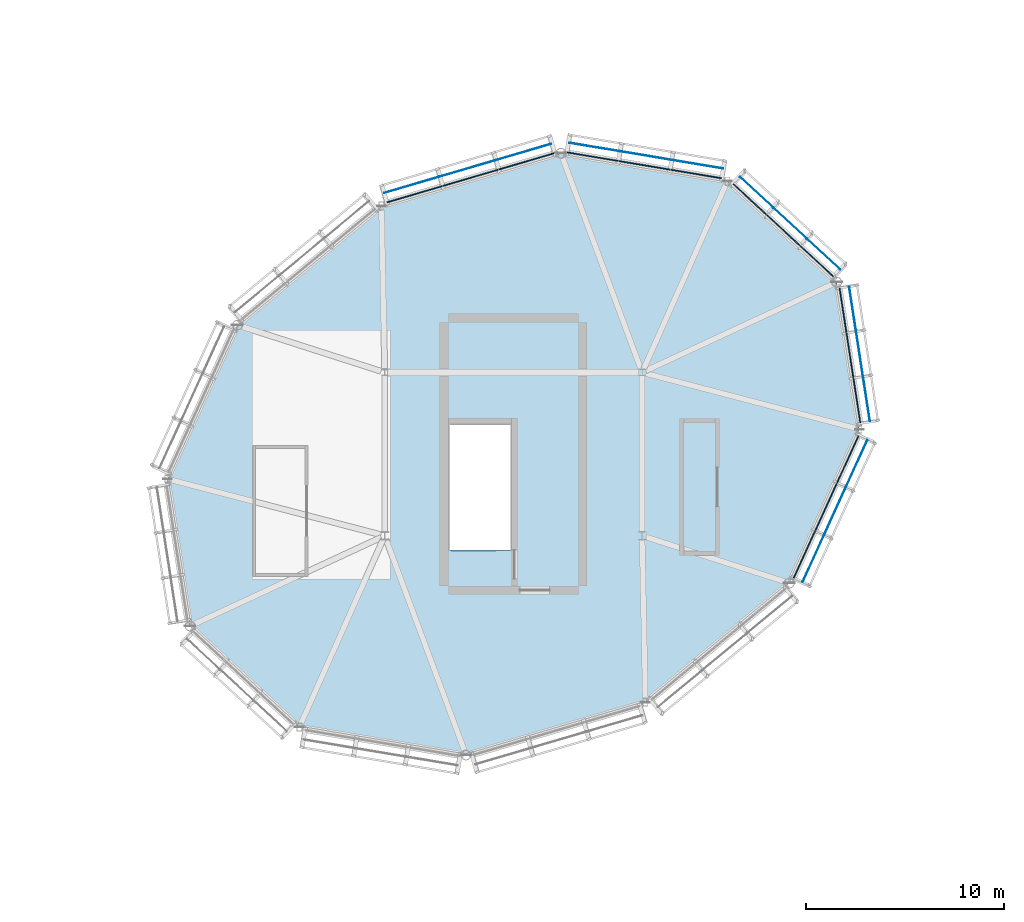
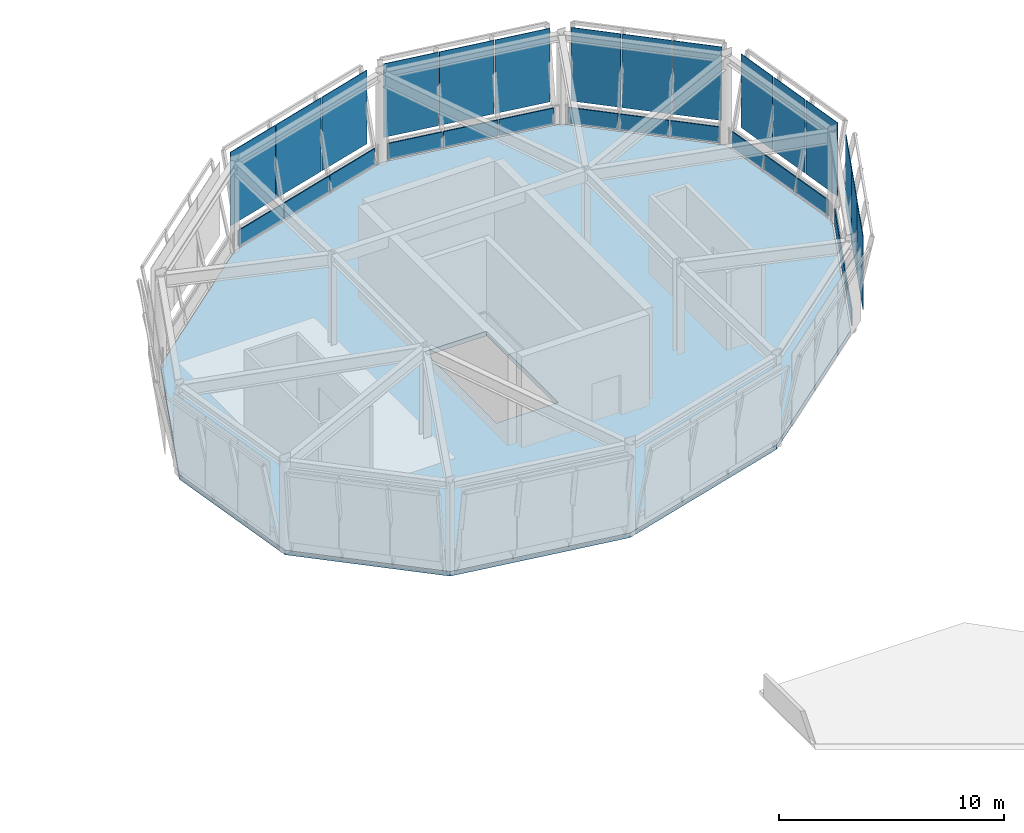
# One storey, part 78 of 113: 30 plates, 1 slab, 5 elements without a shape of their own.
"""IFC4 building model written with IfcOpenShell, lengths in metres."""

from ifc_helpers import new_model, si_unit, direction, frame, origin, origin_2d, place, context, subcontext, project, spatial, polyline, rectangle, outline, extrude, material, layer, layer_set, type_object, element, aggregate, save


model = new_model("IFC4")

# Units and contexts
model_context = context("Model", 3, precision=1e-05, world=origin(), true_north=direction((0.0, 1.0)))
body_context = subcontext(model_context, "Body", "Model", "MODEL_VIEW")
ifc_project = project(units=[si_unit("LENGTHUNIT", "METRE"), si_unit("AREAUNIT", "SQUARE_METRE"), si_unit("VOLUMEUNIT", "CUBIC_METRE"), si_unit("PLANEANGLEUNIT", "RADIAN"), si_unit("MASSUNIT", "GRAM", prefix="KILO")], contexts=[model_context])

# Site, building, storey
site_placement = place(None, origin())
site = spatial("IfcSite", under=ifc_project, at=site_placement, CompositionType="ELEMENT")
building_placement = place(site_placement, origin())
building = spatial("IfcBuilding", under=site, at=building_placement, Name="Linyun Crest Stadium", CompositionType="ELEMENT")
storey_placement = place(building_placement, frame((0.0, 0.0, 26.39990234375)))
storey = spatial("IfcBuildingStorey", under=building, at=storey_placement, Name="L06", CompositionType="ELEMENT", Elevation=26.39990234375)

# Slab
ifc_material_1 = material(Name="Concrete C40", Category="concrete")
ifc_layer_1 = layer(ifc_material_1, 0.25)
ifc_layer_set_1 = layer_set([ifc_layer_1], Name="Concrete C40")
slab_type = type_object("IfcSlabType", Name="FS04", PredefinedType="FLOOR", material=ifc_layer_set_1)
slab_placement = place(storey_placement, frame((0.0, 0.0, -0.25)))
element("IfcSlab", 1, at=slab_placement, inside=storey, type_object=slab_type, Name="Slab FS04 V5 L06 60", PredefinedType="FLOOR", context=body_context, shape_type="SweptSolid", body=[
    extrude(outline(polyline([(89.8349609375, 93.31005859375), (84.31298828125, 98.416015625), (75.89404296875, 99.825927734375), (66.833984375, 97.1630859375), (59.55908203125, 91.139892578125), (56.02099609375, 83.3720703125), (57.1650390625, 75.93994140625), (62.68701171875, 70.833984375), (71.10595703125, 69.424072265625), (80.166015625, 72.0869140625), (87.44091796875, 78.110107421875), (90.97900390625, 85.8779296875), (89.8349609375, 93.31005859375)]), holes=[polyline([(70.22509765625, 79.77001953125), (70.22509765625, 86.14990234375), (73.39990234375, 86.14990234375), (73.39990234375, 79.77001953125), (70.22509765625, 79.77001953125)])]), origin(), (0.0, 0.0, 1.0), 0.25),
])

# Curtain wall, plates
ifc_material_2 = material(Name="Verdigris steel and low-E curtain wall assembly", Category="steel")
curtain_wall_type = type_object("IfcCurtainWallType", Name="MCW04", PredefinedType="NOTDEFINED", material=ifc_material_2)
curtain_wall_1_placement = place(storey_placement, origin())
curtain_wall_1 = element("IfcCurtainWall", 2, at=curtain_wall_1_placement, inside=storey, type_object=curtain_wall_type, Name="CWR-061", PredefinedType="NOTDEFINED")
ifc_material_3 = material(Name="Acoustic laminated low-E broadcast glass", Category="glass")
ifc_layer_2 = layer(ifc_material_3, 0.030029296875)
ifc_layer_set_2 = layer_set([ifc_layer_2], Name="Acoustic laminated low-E broadcast glass")
plate_type_1 = type_object("IfcPlateType", Name="GP02", PredefinedType="CURTAIN_PANEL", material=ifc_layer_set_2)
plate_1_placement = place(storey_placement, frame((89.166015625, 94.72705078125, 0.884521484375), z_axis=(0.0, 0.0, 1.0), x_axis=(-0.734298814372, 0.678826377811, 0.0)))
plate_1 = element("IfcPlate", 3, at=plate_1_placement, type_object=plate_type_1, Name="CWR-061 panel 1.2", PredefinedType="CURTAIN_PANEL", context=body_context, shape_type="SweptSolid", body=[
    extrude(rectangle(XDim=2.2568359375, YDim=0.030029296875, at=origin_2d()), origin(), (0.0, 0.0, 1.0), 3.9912109375),
])
plate_2_placement = place(storey_placement, frame((87.471923828125, 96.29296875, 0.884521484375), z_axis=(0.0, 0.0, 1.0), x_axis=(-0.734298814372, 0.678826377811, 0.0)))
plate_2 = element("IfcPlate", 4, at=plate_2_placement, type_object=plate_type_1, Name="CWR-061 panel 2.2", PredefinedType="CURTAIN_PANEL", context=body_context, shape_type="SweptSolid", body=[
    extrude(rectangle(XDim=2.2568359375, YDim=0.030029296875, at=origin_2d()), origin(), (0.0, 0.0, 1.0), 3.9912109375),
])
plate_3_placement = place(storey_placement, frame((85.778076171875, 97.85888671875, 0.884521484375), z_axis=(0.0, 0.0, 1.0), x_axis=(-0.734298814372, 0.678826377811, 0.0)))
plate_3 = element("IfcPlate", 5, at=plate_3_placement, type_object=plate_type_1, Name="CWR-061 panel 3.2", PredefinedType="CURTAIN_PANEL", context=body_context, shape_type="SweptSolid", body=[
    extrude(rectangle(XDim=2.2568359375, YDim=0.030029296875, at=origin_2d()), origin(), (0.0, 0.0, 1.0), 3.9912109375),
])

curtain_wall_2_placement = place(storey_placement, origin())
curtain_wall_2 = element("IfcCurtainWall", 6, at=curtain_wall_2_placement, inside=storey, type_object=curtain_wall_type, Name="CWR-062", PredefinedType="NOTDEFINED")
plate_4_placement = place(storey_placement, frame((82.80908203125, 99.261962890625, 0.884521484375), z_axis=(0.0, 0.0, 1.0), x_axis=(-0.986282720763, 0.165064819767, 0.0)))
plate_4 = element("IfcPlate", 7, at=plate_4_placement, type_object=plate_type_1, Name="CWR-062 panel 1.2", PredefinedType="CURTAIN_PANEL", context=body_context, shape_type="SweptSolid", body=[
    extrude(rectangle(XDim=2.59521484375, YDim=0.030029296875, at=origin_2d()), origin(), (0.0, 0.0, 1.0), 3.9912109375),
])
plate_5_placement = place(storey_placement, frame((80.199951171875, 99.698974609375, 0.884521484375), z_axis=(0.0, 0.0, 1.0), x_axis=(-0.986282720763, 0.165064819767, 0.0)))
plate_5 = element("IfcPlate", 8, at=plate_5_placement, type_object=plate_type_1, Name="CWR-062 panel 2.2", PredefinedType="CURTAIN_PANEL", context=body_context, shape_type="SweptSolid", body=[
    extrude(rectangle(XDim=2.59521484375, YDim=0.030029296875, at=origin_2d()), origin(), (0.0, 0.0, 1.0), 3.9912109375),
])
plate_6_placement = place(storey_placement, frame((77.591064453125, 100.135986328125, 0.884521484375), z_axis=(0.0, 0.0, 1.0), x_axis=(-0.986282720763, 0.165064819767, 0.0)))
plate_6 = element("IfcPlate", 9, at=plate_6_placement, type_object=plate_type_1, Name="CWR-062 panel 3.2", PredefinedType="CURTAIN_PANEL", context=body_context, shape_type="SweptSolid", body=[
    extrude(rectangle(XDim=2.59521484375, YDim=0.030029296875, at=origin_2d()), origin(), (0.0, 0.0, 1.0), 3.9912109375),
])

curtain_wall_3_placement = place(storey_placement, origin())
curtain_wall_3 = element("IfcCurtainWall", 10, at=curtain_wall_3_placement, inside=storey, type_object=curtain_wall_type, Name="CWR-063", PredefinedType="NOTDEFINED")
plate_7_placement = place(storey_placement, frame((74.027099609375, 99.887939453125, 0.884521484375), z_axis=(0.0, 0.0, 1.0), x_axis=(-0.959437077917, -0.281922850294, 0.0)))
plate_7 = element("IfcPlate", 11, at=plate_7_placement, type_object=plate_type_1, Name="CWR-063 panel 1.2", PredefinedType="CURTAIN_PANEL", context=body_context, shape_type="SweptSolid", body=[
    extrude(rectangle(XDim=2.897705078125, YDim=0.030029296875, at=origin_2d()), origin(), (0.0, 0.0, 1.0), 3.9912109375),
])
plate_8_placement = place(storey_placement, frame((71.198974609375, 99.056884765625, 0.884521484375), z_axis=(0.0, 0.0, 1.0), x_axis=(-0.959437077917, -0.281922850294, 0.0)))
plate_8 = element("IfcPlate", 12, at=plate_8_placement, type_object=plate_type_1, Name="CWR-063 panel 2.2", PredefinedType="CURTAIN_PANEL", context=body_context, shape_type="SweptSolid", body=[
    extrude(rectangle(XDim=2.897705078125, YDim=0.030029296875, at=origin_2d()), origin(), (0.0, 0.0, 1.0), 3.9912109375),
])
plate_9_placement = place(storey_placement, frame((68.37109375, 98.22607421875, 0.884521484375), z_axis=(0.0, 0.0, 1.0), x_axis=(-0.959437077917, -0.281922850294, 0.0)))
plate_9 = element("IfcPlate", 13, at=plate_9_placement, type_object=plate_type_1, Name="CWR-063 panel 3.2", PredefinedType="CURTAIN_PANEL", context=body_context, shape_type="SweptSolid", body=[
    extrude(rectangle(XDim=2.897705078125, YDim=0.030029296875, at=origin_2d()), origin(), (0.0, 0.0, 1.0), 3.9912109375),
])

curtain_wall_4_placement = place(storey_placement, origin())
curtain_wall_4 = element("IfcCurtainWall", 14, at=curtain_wall_4_placement, inside=storey, type_object=curtain_wall_type, Name="CWR-071", PredefinedType="NOTDEFINED")
plate_10_placement = place(storey_placement, frame((88.64697265625, 79.343994140625, 0.884521484375), z_axis=(0.0, 0.0, 1.0), x_axis=(0.414566184052, 0.910019164106, 0.0)))
plate_10 = element("IfcPlate", 15, at=plate_10_placement, type_object=plate_type_1, Name="CWR-071 panel 1.2", PredefinedType="CURTAIN_PANEL", context=body_context, shape_type="SweptSolid", body=[
    extrude(rectangle(XDim=2.595458984375, YDim=0.030029296875, at=origin_2d()), origin(), (0.0, 0.0, 1.0), 3.9912109375),
])
plate_11_placement = place(storey_placement, frame((89.742919921875, 81.7509765625, 0.884521484375), z_axis=(0.0, 0.0, 1.0), x_axis=(0.414566184052, 0.910019164106, 0.0)))
plate_11 = element("IfcPlate", 16, at=plate_11_placement, type_object=plate_type_1, Name="CWR-071 panel 2.2", PredefinedType="CURTAIN_PANEL", context=body_context, shape_type="SweptSolid", body=[
    extrude(rectangle(XDim=2.595458984375, YDim=0.030029296875, at=origin_2d()), origin(), (0.0, 0.0, 1.0), 3.9912109375),
])
plate_12_placement = place(storey_placement, frame((90.840087890625, 84.157958984375, 0.884521484375), z_axis=(0.0, 0.0, 1.0), x_axis=(0.414566184052, 0.910019164106, 0.0)))
plate_12 = element("IfcPlate", 17, at=plate_12_placement, type_object=plate_type_1, Name="CWR-071 panel 3.2", PredefinedType="CURTAIN_PANEL", context=body_context, shape_type="SweptSolid", body=[
    extrude(rectangle(XDim=2.595458984375, YDim=0.030029296875, at=origin_2d()), origin(), (0.0, 0.0, 1.0), 3.9912109375),
])

curtain_wall_5_placement = place(storey_placement, origin())
curtain_wall_5 = element("IfcCurtainWall", 18, at=curtain_wall_5_placement, inside=storey, type_object=curtain_wall_type, Name="CWR-072", PredefinedType="NOTDEFINED")
plate_13_placement = place(storey_placement, frame((91.3369140625, 87.404052734375, 0.884521484375), z_axis=(0.0, 0.0, 1.0), x_axis=(-0.152054385169, 0.988372128275, 0.0)))
plate_13 = element("IfcPlate", 19, at=plate_13_placement, type_object=plate_type_1, Name="CWR-072 panel 1.2", PredefinedType="CURTAIN_PANEL", context=body_context, shape_type="SweptSolid", body=[
    extrude(rectangle(XDim=2.256103515625, YDim=0.030029296875, at=origin_2d()), origin(), (0.0, 0.0, 1.0), 3.9912109375),
])
plate_14_placement = place(storey_placement, frame((90.986083984375, 89.68310546875, 0.884521484375), z_axis=(0.0, 0.0, 1.0), x_axis=(-0.152054385169, 0.988372128275, 0.0)))
plate_14 = element("IfcPlate", 20, at=plate_14_placement, type_object=plate_type_1, Name="CWR-072 panel 2.2", PredefinedType="CURTAIN_PANEL", context=body_context, shape_type="SweptSolid", body=[
    extrude(rectangle(XDim=2.256103515625, YDim=0.030029296875, at=origin_2d()), origin(), (0.0, 0.0, 1.0), 3.9912109375),
])
plate_15_placement = place(storey_placement, frame((90.635009765625, 91.9619140625, 0.884521484375), z_axis=(0.0, 0.0, 1.0), x_axis=(-0.152054385169, 0.988372128275, 0.0)))
plate_15 = element("IfcPlate", 21, at=plate_15_placement, type_object=plate_type_1, Name="CWR-072 panel 3.2", PredefinedType="CURTAIN_PANEL", context=body_context, shape_type="SweptSolid", body=[
    extrude(rectangle(XDim=2.256103515625, YDim=0.030029296875, at=origin_2d()), origin(), (0.0, 0.0, 1.0), 3.9912109375),
])

# Plate
ifc_material_4 = material(Name="Verdigris enamelled metal insulated spandrel")
ifc_layer_3 = layer(ifc_material_4, 0.053955078125)
ifc_layer_set_3 = layer_set([ifc_layer_3], Name="Verdigris enamelled metal insulated spandrel")
plate_type_2 = type_object("IfcPlateType", Name="SP03", PredefinedType="SHEET", material=ifc_layer_set_3)
plate_16_placement = place(storey_placement, frame((88.830078125, 94.364013671875, 0.01611328125), z_axis=(0.0, 0.0, 1.0), x_axis=(-0.734298814372, 0.678826377811, 0.0)))
plate_16 = element("IfcPlate", 22, at=plate_16_placement, type_object=plate_type_2, Name="CWR-061 panel 1.1", PredefinedType="SHEET", context=body_context, shape_type="SweptSolid", body=[
    extrude(rectangle(XDim=2.2568359375, YDim=0.053955078125, at=origin_2d()), origin(), (0.0, 0.0, 1.0), 0.868408203125),
])

plate_17_placement = place(storey_placement, frame((87.135986328125, 95.929931640625, 0.01611328125), z_axis=(0.0, 0.0, 1.0), x_axis=(-0.734298814372, 0.678826377811, 0.0)))
plate_17 = element("IfcPlate", 23, at=plate_17_placement, type_object=plate_type_2, Name="CWR-061 panel 2.1", PredefinedType="SHEET", context=body_context, shape_type="SweptSolid", body=[
    extrude(rectangle(XDim=2.2568359375, YDim=0.053955078125, at=origin_2d()), origin(), (0.0, 0.0, 1.0), 0.868408203125),
])

plate_18_placement = place(storey_placement, frame((85.44189453125, 97.49609375, 0.01611328125), z_axis=(0.0, 0.0, 1.0), x_axis=(-0.734298814372, 0.678826377811, 0.0)))
plate_18 = element("IfcPlate", 24, at=plate_18_placement, type_object=plate_type_2, Name="CWR-061 panel 3.1", PredefinedType="SHEET", context=body_context, shape_type="SweptSolid", body=[
    extrude(rectangle(XDim=2.2568359375, YDim=0.053955078125, at=origin_2d()), origin(), (0.0, 0.0, 1.0), 0.868408203125),
])

aggregate(curtain_wall_1, [plate_16, plate_1, plate_17, plate_2, plate_18, plate_3])

plate_19_placement = place(storey_placement, frame((82.72802734375, 98.77490234375, 0.01611328125), z_axis=(0.0, 0.0, 1.0), x_axis=(-0.986282720763, 0.165064819767, 0.0)))
plate_19 = element("IfcPlate", 25, at=plate_19_placement, type_object=plate_type_2, Name="CWR-062 panel 1.1", PredefinedType="SHEET", context=body_context, shape_type="SweptSolid", body=[
    extrude(rectangle(XDim=2.59521484375, YDim=0.053955078125, at=origin_2d()), origin(), (0.0, 0.0, 1.0), 0.868408203125),
])

plate_20_placement = place(storey_placement, frame((80.118896484375, 99.2109375, 0.01611328125), z_axis=(0.0, 0.0, 1.0), x_axis=(-0.986282720763, 0.165064819767, 0.0)))
plate_20 = element("IfcPlate", 26, at=plate_20_placement, type_object=plate_type_2, Name="CWR-062 panel 2.1", PredefinedType="SHEET", context=body_context, shape_type="SweptSolid", body=[
    extrude(rectangle(XDim=2.59521484375, YDim=0.053955078125, at=origin_2d()), origin(), (0.0, 0.0, 1.0), 0.868408203125),
])

plate_21_placement = place(storey_placement, frame((77.510009765625, 99.64794921875, 0.01611328125), z_axis=(0.0, 0.0, 1.0), x_axis=(-0.986282720763, 0.165064819767, 0.0)))
plate_21 = element("IfcPlate", 27, at=plate_21_placement, type_object=plate_type_2, Name="CWR-062 panel 3.1", PredefinedType="SHEET", context=body_context, shape_type="SweptSolid", body=[
    extrude(rectangle(XDim=2.59521484375, YDim=0.053955078125, at=origin_2d()), origin(), (0.0, 0.0, 1.0), 0.868408203125),
])

aggregate(curtain_wall_2, [plate_19, plate_4, plate_20, plate_5, plate_21, plate_6])

plate_22_placement = place(storey_placement, frame((74.166015625, 99.4130859375, 0.01611328125), z_axis=(0.0, 0.0, 1.0), x_axis=(-0.959437077917, -0.281922850294, 0.0)))
plate_22 = element("IfcPlate", 28, at=plate_22_placement, type_object=plate_type_2, Name="CWR-063 panel 1.1", PredefinedType="SHEET", context=body_context, shape_type="SweptSolid", body=[
    extrude(rectangle(XDim=2.897705078125, YDim=0.053955078125, at=origin_2d()), origin(), (0.0, 0.0, 1.0), 0.868408203125),
])

plate_23_placement = place(storey_placement, frame((71.337890625, 98.58203125, 0.01611328125), z_axis=(0.0, 0.0, 1.0), x_axis=(-0.959437077917, -0.281922850294, 0.0)))
plate_23 = element("IfcPlate", 29, at=plate_23_placement, type_object=plate_type_2, Name="CWR-063 panel 2.1", PredefinedType="SHEET", context=body_context, shape_type="SweptSolid", body=[
    extrude(rectangle(XDim=2.897705078125, YDim=0.053955078125, at=origin_2d()), origin(), (0.0, 0.0, 1.0), 0.868408203125),
])

plate_24_placement = place(storey_placement, frame((68.510009765625, 97.7509765625, 0.01611328125), z_axis=(0.0, 0.0, 1.0), x_axis=(-0.959437077917, -0.281922850294, 0.0)))
plate_24 = element("IfcPlate", 30, at=plate_24_placement, type_object=plate_type_2, Name="CWR-063 panel 3.1", PredefinedType="SHEET", context=body_context, shape_type="SweptSolid", body=[
    extrude(rectangle(XDim=2.897705078125, YDim=0.053955078125, at=origin_2d()), origin(), (0.0, 0.0, 1.0), 0.868408203125),
])

aggregate(curtain_wall_3, [plate_22, plate_7, plate_23, plate_8, plate_24, plate_9])

plate_25_placement = place(storey_placement, frame((88.197021484375, 79.549072265625, 0.01611328125), z_axis=(0.0, 0.0, 1.0), x_axis=(0.414566184052, 0.910019164106, 0.0)))
plate_25 = element("IfcPlate", 31, at=plate_25_placement, type_object=plate_type_2, Name="CWR-071 panel 1.1", PredefinedType="SHEET", context=body_context, shape_type="SweptSolid", body=[
    extrude(rectangle(XDim=2.595458984375, YDim=0.053955078125, at=origin_2d()), origin(), (0.0, 0.0, 1.0), 0.868408203125),
])

plate_26_placement = place(storey_placement, frame((89.29296875, 81.9560546875, 0.01611328125), z_axis=(0.0, 0.0, 1.0), x_axis=(0.414566184052, 0.910019164106, 0.0)))
plate_26 = element("IfcPlate", 32, at=plate_26_placement, type_object=plate_type_2, Name="CWR-071 panel 2.1", PredefinedType="SHEET", context=body_context, shape_type="SweptSolid", body=[
    extrude(rectangle(XDim=2.595458984375, YDim=0.053955078125, at=origin_2d()), origin(), (0.0, 0.0, 1.0), 0.868408203125),
])

plate_27_placement = place(storey_placement, frame((90.389892578125, 84.363037109375, 0.01611328125), z_axis=(0.0, 0.0, 1.0), x_axis=(0.414566184052, 0.910019164106, 0.0)))
plate_27 = element("IfcPlate", 33, at=plate_27_placement, type_object=plate_type_2, Name="CWR-071 panel 3.1", PredefinedType="SHEET", context=body_context, shape_type="SweptSolid", body=[
    extrude(rectangle(XDim=2.595458984375, YDim=0.053955078125, at=origin_2d()), origin(), (0.0, 0.0, 1.0), 0.868408203125),
])

aggregate(curtain_wall_4, [plate_25, plate_10, plate_26, plate_11, plate_27, plate_12])

plate_28_placement = place(storey_placement, frame((90.847900390625, 87.3291015625, 0.01611328125), z_axis=(0.0, 0.0, 1.0), x_axis=(-0.152054385169, 0.988372128275, 0.0)))
plate_28 = element("IfcPlate", 34, at=plate_28_placement, type_object=plate_type_2, Name="CWR-072 panel 1.1", PredefinedType="SHEET", context=body_context, shape_type="SweptSolid", body=[
    extrude(rectangle(XDim=2.256103515625, YDim=0.053955078125, at=origin_2d()), origin(), (0.0, 0.0, 1.0), 0.868408203125),
])

plate_29_placement = place(storey_placement, frame((90.4970703125, 89.60791015625, 0.01611328125), z_axis=(0.0, 0.0, 1.0), x_axis=(-0.152054385169, 0.988372128275, 0.0)))
plate_29 = element("IfcPlate", 35, at=plate_29_placement, type_object=plate_type_2, Name="CWR-072 panel 2.1", PredefinedType="SHEET", context=body_context, shape_type="SweptSolid", body=[
    extrude(rectangle(XDim=2.256103515625, YDim=0.053955078125, at=origin_2d()), origin(), (0.0, 0.0, 1.0), 0.868408203125),
])

plate_30_placement = place(storey_placement, frame((90.14697265625, 91.886962890625, 0.01611328125), z_axis=(0.0, 0.0, 1.0), x_axis=(-0.152054385169, 0.988372128275, 0.0)))
plate_30 = element("IfcPlate", 36, at=plate_30_placement, type_object=plate_type_2, Name="CWR-072 panel 3.1", PredefinedType="SHEET", context=body_context, shape_type="SweptSolid", body=[
    extrude(rectangle(XDim=2.256103515625, YDim=0.053955078125, at=origin_2d()), origin(), (0.0, 0.0, 1.0), 0.868408203125),
])

aggregate(curtain_wall_5, [plate_28, plate_13, plate_29, plate_14, plate_30, plate_15])

save(model, "model.ifc")
